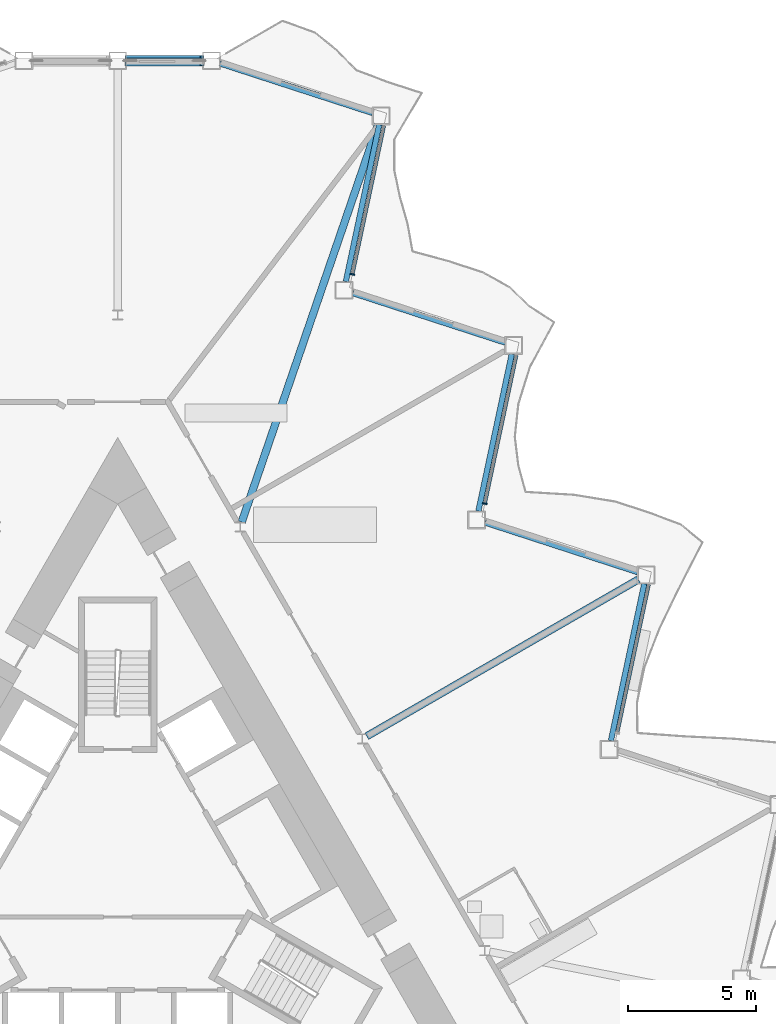
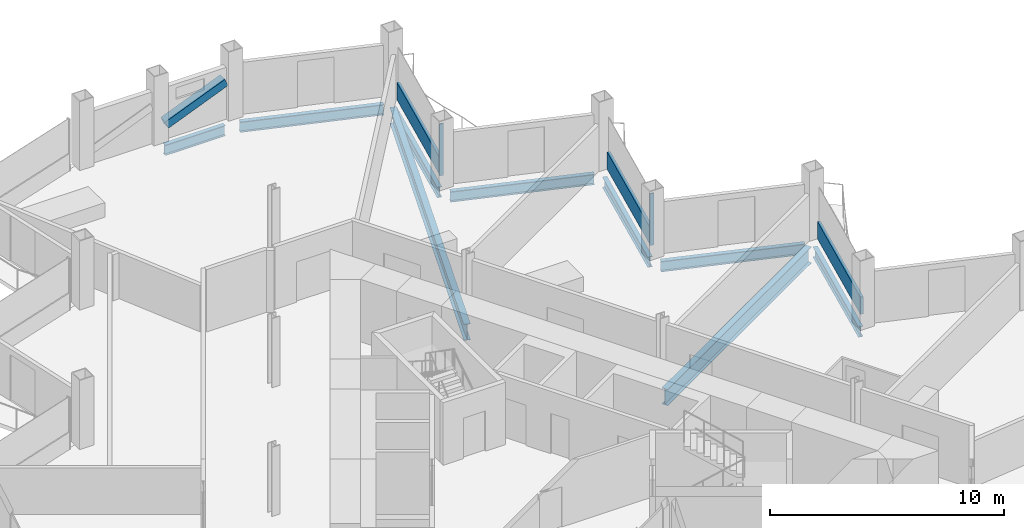
# One storey, part 9 of 23: 9 beams, 6 members, 3 elements without a shape of their own.
"""IFC4 building model written with IfcOpenShell, lengths in metres."""

from ifc_helpers import new_model, si_unit, direction, frame, origin, origin_2d, place, context, subcontext, project, spatial, rectangle, hollow_rectangle, i_section, extrude, material, layer, layer_set, material_profile, profile_set, type_object, element, aggregate, save


model = new_model("IFC4")

# Units and contexts
model_context = context("Model", 3, precision=1e-05, world=origin(), true_north=direction((0.0, 1.0)))
body_context = subcontext(model_context, "Body", "Model", "MODEL_VIEW")
ifc_project = project(units=[si_unit("LENGTHUNIT", "METRE"), si_unit("AREAUNIT", "SQUARE_METRE"), si_unit("VOLUMEUNIT", "CUBIC_METRE"), si_unit("PLANEANGLEUNIT", "RADIAN"), si_unit("MASSUNIT", "GRAM", prefix="KILO")], contexts=[model_context])

# Site, building, storey
site_placement = place(None, origin())
site = spatial("IfcSite", under=ifc_project, at=site_placement, CompositionType="ELEMENT")
building_placement = place(site_placement, origin())
building = spatial("IfcBuilding", under=site, at=building_placement, Name="Cormorant Prow Tower", CompositionType="ELEMENT")
storey_placement = place(building_placement, frame((0.0, 0.0, 263.39990234375)))
storey = spatial("IfcBuildingStorey", under=building, at=storey_placement, Name="L59", CompositionType="ELEMENT", Elevation=263.39990234375)

# Member
ifc_material_1 = material(Name="Structural steel ASTM A500 Gr C", Category="steel")
ifc_material_profile_1 = material_profile(ifc_material_1, hollow_rectangle(XDim=0.406494140625, YDim=0.406494140625, WallThickness=0.01171875, at=origin_2d()), Name="HSS16x16x1/2")
ifc_profile_set_1 = profile_set([ifc_material_profile_1], Name="Structural steel ASTM A500 Gr C")
member_type_1 = type_object("IfcMemberType", Name="Chamfer brace HSS16x16x1/2", PredefinedType="BRACE", material=ifc_profile_set_1)
member_1_placement = place(storey_placement, frame((0.36572265625, 32.073486328125, 0.74951171875), z_axis=(0.925591042089, 0.0, 0.37852506232), x_axis=(0.0, 1.0, 0.0)))
element("IfcMember", 1, at=member_1_placement, inside=storey, type_object=member_type_1, Name="Chamfer brace BR2 at N00 L59", PredefinedType="BRACE", context=body_context, shape_type="SweptSolid", body=[
    extrude(hollow_rectangle(XDim=0.406494140625, YDim=0.406494140625, WallThickness=0.01171875, at=origin_2d()), origin(), (0.0, 0.0, 1.0), 3.17529296875),
])

# Curtain wall, member
ifc_material_2 = material(Name="Aluminium 6063-T6", Category="aluminium")
ifc_layer = layer(ifc_material_2, 0.179931640625)
ifc_layer_set = layer_set([ifc_layer], Name="Aluminium 6063-T6")
curtain_wall_type = type_object("IfcCurtainWallType", Name="Hotel unitised curtain wall 180", PredefinedType="NOTDEFINED", material=ifc_layer_set)
curtain_wall_1_placement = place(storey_placement, origin())
curtain_wall_1 = element("IfcCurtainWall", 2, at=curtain_wall_1_placement, inside=storey, type_object=curtain_wall_type, Name="Hotel curtain wall ENE06", PredefinedType="NOTDEFINED")
ifc_material_3 = material(Name="Aluminium 6063-T6", Category="aluminium")
ifc_material_profile_2 = material_profile(ifc_material_3, rectangle(XDim=0.179931640625, YDim=0.06005859375, at=origin_2d()), Name="Hotel mullion 60x180")
ifc_profile_set_2 = profile_set([ifc_material_profile_2], Name="Aluminium 6063-T6")
member_type_2 = type_object("IfcMemberType", Name="Hotel mullion 60x180", PredefinedType="MULLION", material=ifc_profile_set_2)
member_2_placement = place(storey_placement, frame((14.36865234375, 14.73583984375, 0.0), z_axis=(0.0, 0.0, 1.0), x_axis=(-0.978147594975, 0.207911717911, 0.0)))
member_2 = element("IfcMember", 3, at=member_2_placement, type_object=member_type_2, Name="Hotel mullion ENE06", PredefinedType="MULLION", context=body_context, shape_type="SweptSolid", body=[
    extrude(rectangle(XDim=0.179931640625, YDim=0.06005859375, at=origin_2d()), origin(), (0.0, 0.0, 1.0), 2.700927734375),
])

curtain_wall_2_placement = place(storey_placement, origin())
curtain_wall_2 = element("IfcCurtainWall", 4, at=curtain_wall_2_placement, inside=storey, type_object=curtain_wall_type, Name="Hotel curtain wall ENE08", PredefinedType="NOTDEFINED")
member_3_placement = place(storey_placement, frame((9.18603515625, 23.712646484375, 0.0), z_axis=(0.0, 0.0, 1.0), x_axis=(-0.978147617938, 0.20791160988, 0.0)))
member_3 = element("IfcMember", 5, at=member_3_placement, type_object=member_type_2, Name="Hotel mullion ENE08", PredefinedType="MULLION", context=body_context, shape_type="SweptSolid", body=[
    extrude(rectangle(XDim=0.179931640625, YDim=0.06005859375, at=origin_2d()), origin(), (0.0, 0.0, 1.0), 2.700927734375),
])

curtain_wall_3_placement = place(storey_placement, origin())
curtain_wall_3 = element("IfcCurtainWall", 6, at=curtain_wall_3_placement, inside=storey, type_object=curtain_wall_type, Name="Hotel curtain wall ENE04", PredefinedType="NOTDEFINED")
ifc_material_4 = material(Name="Terracotta", Category="masonry")
ifc_material_profile_3 = material_profile(ifc_material_4, rectangle(XDim=0.139892578125, YDim=0.89990234375, at=origin_2d()), Name="Hotel terracotta spandrel rail 140x900")
ifc_profile_set_3 = profile_set([ifc_material_profile_3], Name="Terracotta")
member_type_3 = type_object("IfcMemberType", Name="Hotel terracotta spandrel rail 140x900", PredefinedType="USERDEFINED", material=ifc_profile_set_3)
member_4_placement = place(storey_placement, frame((19.5576171875, 5.78857421875, 0.4501953125), z_axis=(0.207926913672, 0.978144364892, 0.0), x_axis=(-0.978144364892, 0.207926913672, 0.0)))
member_4 = element("IfcMember", 7, at=member_4_placement, type_object=member_type_3, Name="Hotel spandrel rail ENE04", ObjectType="TRANSOM", PredefinedType="USERDEFINED", context=body_context, shape_type="SweptSolid", body=[
    extrude(rectangle(XDim=0.139892578125, YDim=0.89990234375, at=origin_2d()), origin(), (0.0, 0.0, 1.0), 5.911865234375),
])
aggregate(curtain_wall_3, [member_4])

# Member
member_5_placement = place(storey_placement, frame((14.375, 14.76513671875, 0.4501953125), z_axis=(0.207879005078, 0.978154547732, 0.0), x_axis=(-0.978154547732, 0.207879005078, 0.0)))
member_5 = element("IfcMember", 8, at=member_5_placement, type_object=member_type_3, Name="Hotel spandrel rail ENE06", ObjectType="TRANSOM", PredefinedType="USERDEFINED", context=body_context, shape_type="SweptSolid", body=[
    extrude(rectangle(XDim=0.139892578125, YDim=0.89990234375, at=origin_2d()), origin(), (0.0, 0.0, 1.0), 5.912109375),
])

aggregate(curtain_wall_1, [member_2, member_5])

member_6_placement = place(storey_placement, frame((9.1923828125, 23.741943359375, 0.4501953125), z_axis=(0.207887402243, 0.978152763115, 0.0), x_axis=(-0.978152763115, 0.207887402243, 0.0)))
member_6 = element("IfcMember", 9, at=member_6_placement, type_object=member_type_3, Name="Hotel spandrel rail ENE08", ObjectType="TRANSOM", PredefinedType="USERDEFINED", context=body_context, shape_type="SweptSolid", body=[
    extrude(rectangle(XDim=0.139892578125, YDim=0.89990234375, at=origin_2d()), origin(), (0.0, 0.0, 1.0), 5.911865234375),
])

aggregate(curtain_wall_2, [member_3, member_6])

# Beams
ifc_material_5 = material(Name="Structural steel ASTM A992 Gr 50", Category="steel")
ifc_material_profile_4 = material_profile(ifc_material_5, i_section(OverallWidth=0.29296875, OverallDepth=0.845703125, WebThickness=0.015380859375, FlangeThickness=0.0244140625, at=origin_2d()), Name="W33x141")
ifc_profile_set_4 = profile_set([ifc_material_profile_4], Name="Structural steel ASTM A992 Gr 50")
beam_type_1 = type_object("IfcBeamType", Name="Radial floor beam W33x141", PredefinedType="BEAM", material=ifc_profile_set_4)
beam_1_placement = place(storey_placement, frame((9.751220703125, 5.6298828125, -0.772705078125), z_axis=(0.866021995826, 0.500005902711, 0.0), x_axis=(-0.500005902711, 0.866021995826, 0.0)))
element("IfcBeam", 10, at=beam_1_placement, inside=storey, type_object=beam_type_1, Name="Radial floor beam FB2 11 L59", PredefinedType="BEAM", context=body_context, shape_type="SweptSolid", body=[
    extrude(i_section(OverallWidth=0.29296875, OverallDepth=0.845703125, WebThickness=0.015380859375, FlangeThickness=0.0244140625, at=origin_2d()), origin(), (0.0, 0.0, 1.0), 12.277099609375),
])
beam_2_placement = place(storey_placement, frame((4.85400390625, 14.013916015625, -0.772705078125), z_axis=(0.324535507117, 0.945873514071, 0.0), x_axis=(-0.945873514071, 0.324535507117, 0.0)))
element("IfcBeam", 11, at=beam_2_placement, inside=storey, type_object=beam_type_1, Name="Radial floor beam FB2 12 L59", PredefinedType="BEAM", context=body_context, shape_type="SweptSolid", body=[
    extrude(i_section(OverallWidth=0.29296875, OverallDepth=0.845703125, WebThickness=0.015380859375, FlangeThickness=0.0244140625, at=origin_2d()), origin(), (0.0, 0.0, 1.0), 16.462158203125),
])
ifc_material_6 = material(Name="Structural steel ASTM A992 Gr 50", Category="steel")
ifc_material_profile_5 = material_profile(ifc_material_6, i_section(OverallWidth=0.2138671875, OverallDepth=0.549072265625, WebThickness=0.0146484375, FlangeThickness=0.023681640625, at=origin_2d()), Name="W21x93")
ifc_profile_set_5 = profile_set([ifc_material_profile_5], Name="Structural steel ASTM A992 Gr 50")
beam_type_2 = type_object("IfcBeamType", Name="Spandrel beam W21x93", PredefinedType="SPANDREL", material=ifc_profile_set_5)
beam_3_placement = place(storey_placement, frame((19.307861328125, 5.456787109375, -0.62451171875), z_axis=(0.207933593793, 0.978142944856, 0.0), x_axis=(-0.978142944856, 0.207933593793, 0.0)))
element("IfcBeam", 12, at=beam_3_placement, inside=storey, type_object=beam_type_2, Name="Spandrel beam SB2 ENE04-ENE05 L59", PredefinedType="SPANDREL", context=body_context, shape_type="SweptSolid", body=[
    extrude(i_section(OverallWidth=0.2138671875, OverallDepth=0.549072265625, WebThickness=0.0146484375, FlangeThickness=0.023681640625, at=origin_2d()), origin(), (0.0, 0.0, 1.0), 6.281494140625),
])
beam_4_placement = place(storey_placement, frame((20.353759765625, 12.051513671875, -0.62451171875), z_axis=(-0.951050348284, 0.309035976918, 0.0), x_axis=(-0.309035976918, -0.951050348284, 0.0)))
element("IfcBeam", 13, at=beam_4_placement, inside=storey, type_object=beam_type_2, Name="Spandrel beam SB2 ENE05-ENE06 L59", PredefinedType="SPANDREL", context=body_context, shape_type="SweptSolid", body=[
    extrude(i_section(OverallWidth=0.2138671875, OverallDepth=0.549072265625, WebThickness=0.0146484375, FlangeThickness=0.023681640625, at=origin_2d()), origin(), (0.0, 0.0, 1.0), 6.28125),
])
beam_5_placement = place(storey_placement, frame((14.11962890625, 14.443115234375, -0.62451171875), z_axis=(0.207933593793, 0.978142944856, 0.0), x_axis=(-0.978142944856, 0.207933593793, 0.0)))
element("IfcBeam", 14, at=beam_5_placement, inside=storey, type_object=beam_type_2, Name="Spandrel beam SB2 ENE06-ENE07 L59", PredefinedType="SPANDREL", context=body_context, shape_type="SweptSolid", body=[
    extrude(i_section(OverallWidth=0.2138671875, OverallDepth=0.549072265625, WebThickness=0.0146484375, FlangeThickness=0.023681640625, at=origin_2d()), origin(), (0.0, 0.0, 1.0), 6.281494140625),
])
beam_6_placement = place(storey_placement, frame((15.16552734375, 21.037841796875, -0.62451171875), z_axis=(-0.951050348284, 0.309035976918, 0.0), x_axis=(-0.309035976918, -0.951050348284, 0.0)))
element("IfcBeam", 15, at=beam_6_placement, inside=storey, type_object=beam_type_2, Name="Spandrel beam SB2 ENE07-ENE08 L59", PredefinedType="SPANDREL", context=body_context, shape_type="SweptSolid", body=[
    extrude(i_section(OverallWidth=0.2138671875, OverallDepth=0.549072265625, WebThickness=0.0146484375, FlangeThickness=0.023681640625, at=origin_2d()), origin(), (0.0, 0.0, 1.0), 6.28125),
])
for number, where, z_axis, x_axis, name in (
    (16, (8.931396484375, 23.429443359375, -0.62451171875), (0.207896407679, 0.97815084914, 0.0), (-0.97815084914, 0.207896407679, 0.0), "Spandrel beam SB2 ENE08-ENE09 L59"),
    (17, (9.977294921875, 30.024169921875, -0.62451171875), (-0.951054060056, 0.309024553801, 0.0), (-0.309024553801, -0.951054060056, 0.0), "Spandrel beam SB2 ENE09-N00 L59"),
):
    element("IfcBeam", number, at=place(storey_placement, frame(where, z_axis=z_axis, x_axis=x_axis)), inside=storey, type_object=beam_type_2, Name=name, PredefinedType="SPANDREL", context=body_context, shape_type="SweptSolid", body=[
        extrude(i_section(OverallWidth=0.2138671875, OverallDepth=0.549072265625, WebThickness=0.0146484375, FlangeThickness=0.023681640625, at=origin_2d()), origin(), (0.0, 0.0, 1.0), 6.281494140625),
    ])
beam_7_placement = place(storey_placement, frame((3.3203125, 32.073486328125, -0.62451171875), z_axis=(-1.0, 0.0, 0.0), x_axis=(0.0, -1.0, 0.0)))
element("IfcBeam", 18, at=beam_7_placement, inside=storey, type_object=beam_type_2, Name="Spandrel beam SB2 N00-N01 L59", PredefinedType="SPANDREL", context=body_context, shape_type="SweptSolid", body=[
    extrude(i_section(OverallWidth=0.2138671875, OverallDepth=0.549072265625, WebThickness=0.0146484375, FlangeThickness=0.023681640625, at=origin_2d()), origin(), (0.0, 0.0, 1.0), 2.97021484375),
])

save(model, "model.ifc")
